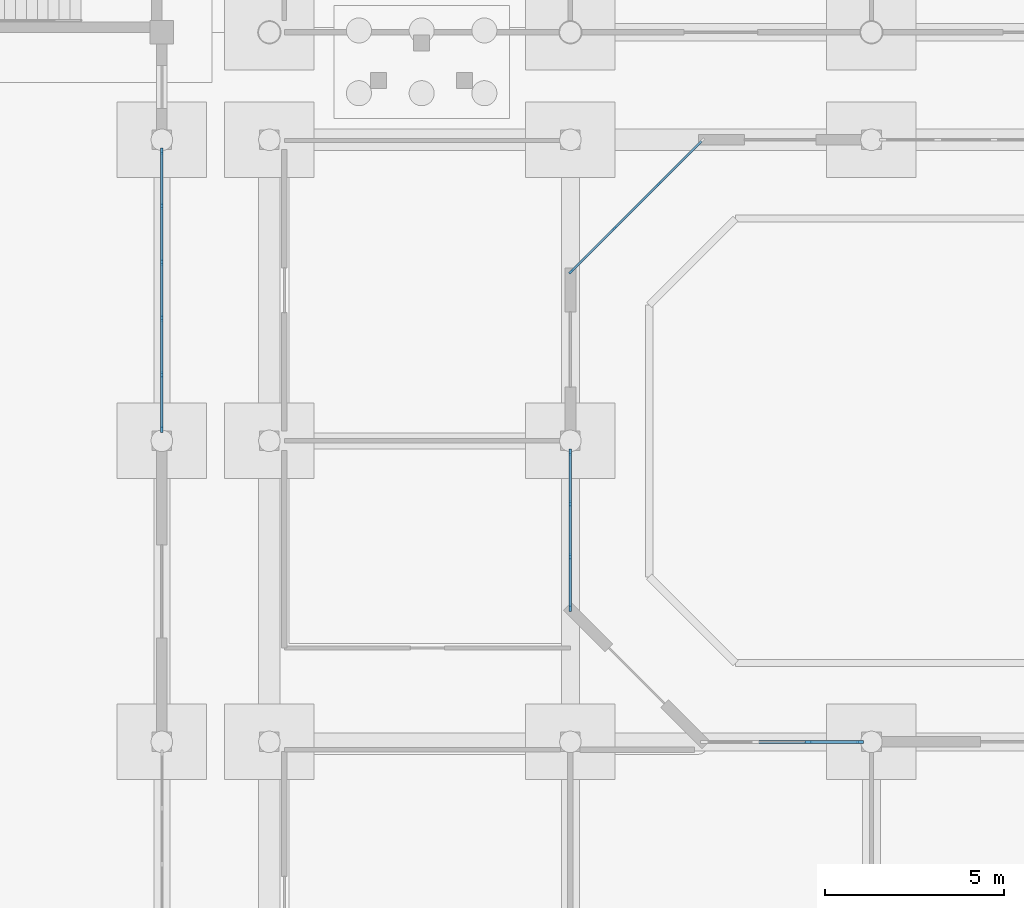
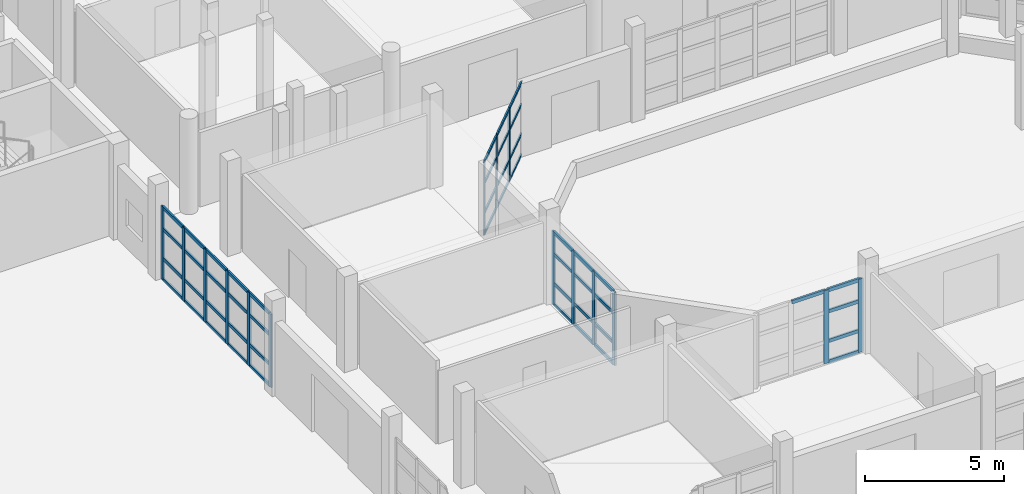
# One storey, part 21 of 88: 64 members, 4 elements without a shape of their own.
"""IFC4 building model written with IfcOpenShell, lengths in metres."""

from ifc_helpers import new_model, si_unit, direction, frame, origin, origin_2d, place, context, subcontext, project, spatial, rectangle, extrude, material, material_profile, profile_set, type_object, element, aggregate, save


model = new_model("IFC4")

# Units and contexts
model_context = context("Model", 3, precision=1e-05, world=origin(), true_north=direction((0.0, 1.0)))
body_context = subcontext(model_context, "Body", "Model", "MODEL_VIEW")
ifc_project = project(units=[si_unit("LENGTHUNIT", "METRE"), si_unit("AREAUNIT", "SQUARE_METRE"), si_unit("VOLUMEUNIT", "CUBIC_METRE"), si_unit("PLANEANGLEUNIT", "RADIAN"), si_unit("MASSUNIT", "GRAM", prefix="KILO")], contexts=[model_context])

# Site, building, storey
site_placement = place(None, origin())
site = spatial("IfcSite", under=ifc_project, at=site_placement, CompositionType="ELEMENT")
building_placement = place(site_placement, origin())
building = spatial("IfcBuilding", under=site, at=building_placement, Name="Vanh Quang Courtyard School", CompositionType="ELEMENT")
storey_placement = place(building_placement, origin())
storey = spatial("IfcBuildingStorey", under=building, at=storey_placement, Name="L00", CompositionType="ELEMENT", Elevation=0.0)

# Curtain wall, members
ifc_material_1 = material(Name="Thermally broken aluminium unitised curtain wall", Category="aluminium")
curtain_wall_type_1 = type_object("IfcCurtainWallType", Name="CW-SYS-09", PredefinedType="NOTDEFINED", material=ifc_material_1)
curtain_wall_1_placement = place(storey_placement, origin())
curtain_wall_1 = element("IfcCurtainWall", 1, at=curtain_wall_1_placement, inside=storey, type_object=curtain_wall_type_1, Name="Curtain Wall CW-09 (L00)", PredefinedType="NOTDEFINED")
ifc_material_2 = material(Name="Anodised aluminium 6063-T6", Category="aluminium")
ifc_material_profile_1 = material_profile(ifc_material_2, rectangle(XDim=0.06005859375, YDim=0.159912109375, at=origin_2d()), Name="ALU-MUL 60x160")
ifc_profile_set_1 = profile_set([ifc_material_profile_1], Name="Anodised aluminium 6063-T6")
member_type_1 = type_object("IfcMemberType", Name="CW-MUL-60x160", PredefinedType="MULLION", material=ifc_profile_set_1)
member_1_placement = place(storey_placement, frame((88.263916015625, 28.16796875, 0.0), z_axis=(0.0, 0.0, 1.0), x_axis=(0.707106781187, -0.707106781187, 0.0)))
member_1 = element("IfcMember", 2, at=member_1_placement, type_object=member_type_1, Name="CW-09 mullion 2", PredefinedType="MULLION", context=body_context, shape_type="SweptSolid", body=[
    extrude(rectangle(XDim=0.06005859375, YDim=0.159912109375, at=origin_2d()), origin(), (0.0, 0.0, 1.0), 3.219970703125),
])
member_2_placement = place(storey_placement, frame((87.031982421875, 26.93603515625, 0.0), z_axis=(0.0, 0.0, 1.0), x_axis=(0.707106781187, -0.707106781187, 0.0)))
member_2 = element("IfcMember", 3, at=member_2_placement, type_object=member_type_1, Name="CW-09 mullion 3", PredefinedType="MULLION", context=body_context, shape_type="SweptSolid", body=[
    extrude(rectangle(XDim=0.06005859375, YDim=0.159912109375, at=origin_2d()), origin(), (0.0, 0.0, 1.0), 3.219970703125),
])
member_3_placement = place(storey_placement, frame((85.8212890625, 25.72509765625, 0.0), z_axis=(0.0, 0.0, 1.0), x_axis=(0.707106781187, -0.707106781187, 0.0)))
member_3 = element("IfcMember", 4, at=member_3_placement, type_object=member_type_1, Name="CW-09 mullion 4", PredefinedType="MULLION", context=body_context, shape_type="SweptSolid", body=[
    extrude(rectangle(XDim=0.06005859375, YDim=0.159912109375, at=origin_2d()), origin(), (0.0, 0.0, 1.0), 3.219970703125),
])

curtain_wall_type_2 = type_object("IfcCurtainWallType", Name="CW-SYS-01", PredefinedType="NOTDEFINED", material=ifc_material_1)
curtain_wall_2_placement = place(storey_placement, origin())
curtain_wall_2 = element("IfcCurtainWall", 5, at=curtain_wall_2_placement, inside=storey, type_object=curtain_wall_type_2, Name="Curtain Wall CW-01 (L00)", PredefinedType="NOTDEFINED")
ifc_material_profile_2 = material_profile(ifc_material_2, rectangle(XDim=0.070068359375, YDim=0.179931640625, at=origin_2d()), Name="ALU-MUL 70x180")
ifc_profile_set_2 = profile_set([ifc_material_profile_2], Name="Anodised aluminium 6063-T6")
member_type_2 = type_object("IfcMemberType", Name="CW-MUL-70x180", PredefinedType="MULLION", material=ifc_profile_set_2)
member_4_placement = place(storey_placement, frame((74.39990234375, 21.318115234375, 0.0), z_axis=(0.0, 0.0, 1.0), x_axis=(-1.0, 0.0, 0.0)))
member_4 = element("IfcMember", 6, at=member_4_placement, type_object=member_type_2, Name="CW-01 mullion 1", PredefinedType="MULLION", context=body_context, shape_type="SweptSolid", body=[
    extrude(rectangle(XDim=0.070068359375, YDim=0.179931640625, at=origin_2d()), origin(), (0.0, 0.0, 1.0), 3.219970703125),
])
member_5_placement = place(storey_placement, frame((74.39990234375, 22.849853515625, 0.0), z_axis=(0.0, 0.0, 1.0), x_axis=(-1.0, 0.0, 0.0)))
member_5 = element("IfcMember", 7, at=member_5_placement, type_object=member_type_2, Name="CW-01 mullion 2", PredefinedType="MULLION", context=body_context, shape_type="SweptSolid", body=[
    extrude(rectangle(XDim=0.070068359375, YDim=0.179931640625, at=origin_2d()), origin(), (0.0, 0.0, 1.0), 3.219970703125),
])
member_6_placement = place(storey_placement, frame((74.39990234375, 24.41650390625, 0.0), z_axis=(0.0, 0.0, 1.0), x_axis=(-1.0, 0.0, 0.0)))
member_6 = element("IfcMember", 8, at=member_6_placement, type_object=member_type_2, Name="CW-01 mullion 3", PredefinedType="MULLION", context=body_context, shape_type="SweptSolid", body=[
    extrude(rectangle(XDim=0.070068359375, YDim=0.179931640625, at=origin_2d()), origin(), (0.0, 0.0, 1.0), 3.219970703125),
])
member_7_placement = place(storey_placement, frame((74.39990234375, 25.9833984375, 0.0), z_axis=(0.0, 0.0, 1.0), x_axis=(-1.0, 0.0, 0.0)))
member_7 = element("IfcMember", 9, at=member_7_placement, type_object=member_type_2, Name="CW-01 mullion 4", PredefinedType="MULLION", context=body_context, shape_type="SweptSolid", body=[
    extrude(rectangle(XDim=0.070068359375, YDim=0.179931640625, at=origin_2d()), origin(), (0.0, 0.0, 1.0), 3.219970703125),
])
member_8_placement = place(storey_placement, frame((74.39990234375, 27.55029296875, 0.0), z_axis=(0.0, 0.0, 1.0), x_axis=(-1.0, 0.0, 0.0)))
member_8 = element("IfcMember", 10, at=member_8_placement, type_object=member_type_2, Name="CW-01 mullion 5", PredefinedType="MULLION", context=body_context, shape_type="SweptSolid", body=[
    extrude(rectangle(XDim=0.070068359375, YDim=0.179931640625, at=origin_2d()), origin(), (0.0, 0.0, 1.0), 3.219970703125),
])
member_9_placement = place(storey_placement, frame((74.39990234375, 29.08203125, 0.0), z_axis=(0.0, 0.0, 1.0), x_axis=(-1.0, 0.0, 0.0)))
member_9 = element("IfcMember", 11, at=member_9_placement, type_object=member_type_2, Name="CW-01 mullion 6", PredefinedType="MULLION", context=body_context, shape_type="SweptSolid", body=[
    extrude(rectangle(XDim=0.070068359375, YDim=0.179931640625, at=origin_2d()), origin(), (0.0, 0.0, 1.0), 3.219970703125),
])

curtain_wall_type_3 = type_object("IfcCurtainWallType", Name="CW-SYS-10", PredefinedType="NOTDEFINED", material=ifc_material_1)
curtain_wall_3_placement = place(storey_placement, origin())
curtain_wall_3 = element("IfcCurtainWall", 12, at=curtain_wall_3_placement, inside=storey, type_object=curtain_wall_type_3, Name="Curtain Wall CW-10 (L00)", PredefinedType="NOTDEFINED")
member_10_placement = place(storey_placement, frame((85.800048828125, 20.681884765625, 0.0), z_axis=(0.0, 0.0, 1.0), x_axis=(1.0, 0.0, 0.0)))
member_10 = element("IfcMember", 13, at=member_10_placement, type_object=member_type_2, Name="CW-10 mullion 1", PredefinedType="MULLION", context=body_context, shape_type="SweptSolid", body=[
    extrude(rectangle(XDim=0.070068359375, YDim=0.179931640625, at=origin_2d()), origin(), (0.0, 0.0, 1.0), 3.219970703125),
])
member_11_placement = place(storey_placement, frame((85.800048828125, 19.243408203125, 0.0), z_axis=(0.0, 0.0, 1.0), x_axis=(1.0, 0.0, 0.0)))
member_11 = element("IfcMember", 14, at=member_11_placement, type_object=member_type_2, Name="CW-10 mullion 2", PredefinedType="MULLION", context=body_context, shape_type="SweptSolid", body=[
    extrude(rectangle(XDim=0.070068359375, YDim=0.179931640625, at=origin_2d()), origin(), (0.0, 0.0, 1.0), 3.219970703125),
])
member_12_placement = place(storey_placement, frame((85.800048828125, 17.769775390625, 0.0), z_axis=(0.0, 0.0, 1.0), x_axis=(1.0, 0.0, 0.0)))
member_12 = element("IfcMember", 15, at=member_12_placement, type_object=member_type_2, Name="CW-10 mullion 3", PredefinedType="MULLION", context=body_context, shape_type="SweptSolid", body=[
    extrude(rectangle(XDim=0.070068359375, YDim=0.179931640625, at=origin_2d()), origin(), (0.0, 0.0, 1.0), 3.219970703125),
])
member_13_placement = place(storey_placement, frame((85.800048828125, 16.3310546875, 0.0), z_axis=(0.0, 0.0, 1.0), x_axis=(1.0, 0.0, 0.0)))
member_13 = element("IfcMember", 16, at=member_13_placement, type_object=member_type_2, Name="CW-10 mullion 4", PredefinedType="MULLION", context=body_context, shape_type="SweptSolid", body=[
    extrude(rectangle(XDim=0.070068359375, YDim=0.179931640625, at=origin_2d()), origin(), (0.0, 0.0, 1.0), 3.219970703125),
])

curtain_wall_4_placement = place(storey_placement, origin())
curtain_wall_4 = element("IfcCurtainWall", 17, at=curtain_wall_4_placement, inside=storey, type_object=curtain_wall_type_3, Name="Curtain Wall CW-10 (L00)", PredefinedType="NOTDEFINED")
ifc_material_profile_3 = material_profile(ifc_material_2, rectangle(XDim=0.080078125, YDim=0.199951171875, at=origin_2d()), Name="ALU-MUL 80x200")
ifc_profile_set_3 = profile_set([ifc_material_profile_3], Name="Anodised aluminium 6063-T6")
member_type_3 = type_object("IfcMemberType", Name="CW-MUL-80x200", PredefinedType="MULLION", material=ifc_profile_set_3)
member_14_placement = place(storey_placement, frame((92.443359375, 12.60009765625, 0.0), z_axis=(0.0, 0.0, 1.0), x_axis=(0.0, 1.0, 0.0)))
member_14 = element("IfcMember", 18, at=member_14_placement, type_object=member_type_3, Name="CW-10 mullion 3", PredefinedType="MULLION", context=body_context, shape_type="SweptSolid", body=[
    extrude(rectangle(XDim=0.080078125, YDim=0.199951171875, at=origin_2d()), origin(), (0.0, 0.0, 1.0), 3.219970703125),
])
member_15_placement = place(storey_placement, frame((93.876953125, 12.60009765625, 0.0), z_axis=(0.0, 0.0, 1.0), x_axis=(0.0, 1.0, 0.0)))
member_15 = element("IfcMember", 19, at=member_15_placement, type_object=member_type_3, Name="CW-10 mullion 4", PredefinedType="MULLION", context=body_context, shape_type="SweptSolid", body=[
    extrude(rectangle(XDim=0.080078125, YDim=0.199951171875, at=origin_2d()), origin(), (0.0, 0.0, 1.0), 3.219970703125),
])

# Member
ifc_material_profile_4 = material_profile(ifc_material_2, rectangle(XDim=0.06005859375, YDim=0.1201171875, at=origin_2d()), Name="ALU-TRN 60x120")
ifc_profile_set_4 = profile_set([ifc_material_profile_4], Name="Anodised aluminium 6063-T6")
member_type_4 = type_object("IfcMemberType", Name="CW-TRN-60x120", PredefinedType="USERDEFINED", material=ifc_profile_set_4)
member_16_placement = place(storey_placement, frame((89.45361328125, 29.357666015625, 0.030029296875), z_axis=(-0.707106781187, -0.707106781187, 0.0), x_axis=(0.707106781187, -0.707106781187, 0.0)))
member_16 = element("IfcMember", 20, at=member_16_placement, type_object=member_type_4, Name="CW-09 transom 1.1", ObjectType="TRANSOM", PredefinedType="USERDEFINED", context=body_context, shape_type="SweptSolid", body=[
    extrude(rectangle(XDim=0.06005859375, YDim=0.1201171875, at=origin_2d()), origin(), (0.0, 0.0, 1.0), 1.65234375),
])

member_17_placement = place(storey_placement, frame((89.45361328125, 29.357666015625, 0.949951171875), z_axis=(-0.707106781187, -0.707106781187, 0.0), x_axis=(0.707106781187, -0.707106781187, 0.0)))
member_17 = element("IfcMember", 21, at=member_17_placement, type_object=member_type_4, Name="CW-09 transom 1.2", ObjectType="TRANSOM", PredefinedType="USERDEFINED", context=body_context, shape_type="SweptSolid", body=[
    extrude(rectangle(XDim=0.06005859375, YDim=0.1201171875, at=origin_2d()), origin(), (0.0, 0.0, 1.0), 1.65234375),
])

member_18_placement = place(storey_placement, frame((89.45361328125, 29.357666015625, 2.25), z_axis=(-0.707106781187, -0.707106781187, 0.0), x_axis=(0.707106781187, -0.707106781187, 0.0)))
member_18 = element("IfcMember", 22, at=member_18_placement, type_object=member_type_4, Name="CW-09 transom 1.3", ObjectType="TRANSOM", PredefinedType="USERDEFINED", context=body_context, shape_type="SweptSolid", body=[
    extrude(rectangle(XDim=0.06005859375, YDim=0.1201171875, at=origin_2d()), origin(), (0.0, 0.0, 1.0), 1.65234375),
])

member_19_placement = place(storey_placement, frame((89.45361328125, 29.357666015625, 3.18994140625), z_axis=(-0.707106781187, -0.707106781187, 0.0), x_axis=(0.707106781187, -0.707106781187, 0.0)))
member_19 = element("IfcMember", 23, at=member_19_placement, type_object=member_type_4, Name="CW-09 transom 1.4", ObjectType="TRANSOM", PredefinedType="USERDEFINED", context=body_context, shape_type="SweptSolid", body=[
    extrude(rectangle(XDim=0.06005859375, YDim=0.1201171875, at=origin_2d()), origin(), (0.0, 0.0, 1.0), 1.65234375),
])

member_20_placement = place(storey_placement, frame((88.24267578125, 28.146728515625, 0.030029296875), z_axis=(-0.707106781187, -0.707106781187, 0.0), x_axis=(0.707106781187, -0.707106781187, 0.0)))
member_20 = element("IfcMember", 24, at=member_20_placement, type_object=member_type_4, Name="CW-09 transom 2.1", ObjectType="TRANSOM", PredefinedType="USERDEFINED", context=body_context, shape_type="SweptSolid", body=[
    extrude(rectangle(XDim=0.06005859375, YDim=0.1201171875, at=origin_2d()), origin(), (0.0, 0.0, 1.0), 1.68212890625),
])

member_21_placement = place(storey_placement, frame((88.24267578125, 28.146728515625, 0.949951171875), z_axis=(-0.707106781187, -0.707106781187, 0.0), x_axis=(0.707106781187, -0.707106781187, 0.0)))
member_21 = element("IfcMember", 25, at=member_21_placement, type_object=member_type_4, Name="CW-09 transom 2.2", ObjectType="TRANSOM", PredefinedType="USERDEFINED", context=body_context, shape_type="SweptSolid", body=[
    extrude(rectangle(XDim=0.06005859375, YDim=0.1201171875, at=origin_2d()), origin(), (0.0, 0.0, 1.0), 1.68212890625),
])

member_22_placement = place(storey_placement, frame((88.24267578125, 28.146728515625, 2.25), z_axis=(-0.707106781187, -0.707106781187, 0.0), x_axis=(0.707106781187, -0.707106781187, 0.0)))
member_22 = element("IfcMember", 26, at=member_22_placement, type_object=member_type_4, Name="CW-09 transom 2.3", ObjectType="TRANSOM", PredefinedType="USERDEFINED", context=body_context, shape_type="SweptSolid", body=[
    extrude(rectangle(XDim=0.06005859375, YDim=0.1201171875, at=origin_2d()), origin(), (0.0, 0.0, 1.0), 1.68212890625),
])

member_23_placement = place(storey_placement, frame((88.24267578125, 28.146728515625, 3.18994140625), z_axis=(-0.707106781187, -0.707106781187, 0.0), x_axis=(0.707106781187, -0.707106781187, 0.0)))
member_23 = element("IfcMember", 27, at=member_23_placement, type_object=member_type_4, Name="CW-09 transom 2.4", ObjectType="TRANSOM", PredefinedType="USERDEFINED", context=body_context, shape_type="SweptSolid", body=[
    extrude(rectangle(XDim=0.06005859375, YDim=0.1201171875, at=origin_2d()), origin(), (0.0, 0.0, 1.0), 1.68212890625),
])

member_24_placement = place(storey_placement, frame((87.0107421875, 26.914794921875, 0.030029296875), z_axis=(-0.707032897191, -0.707180657463, 0.0), x_axis=(0.707180657463, -0.707032897191, 0.0)))
member_24 = element("IfcMember", 28, at=member_24_placement, type_object=member_type_4, Name="CW-09 transom 3.1", ObjectType="TRANSOM", PredefinedType="USERDEFINED", context=body_context, shape_type="SweptSolid", body=[
    extrude(rectangle(XDim=0.06005859375, YDim=0.1201171875, at=origin_2d()), origin(), (0.0, 0.0, 1.0), 1.65234375),
])

member_25_placement = place(storey_placement, frame((87.0107421875, 26.914794921875, 0.949951171875), z_axis=(-0.707032897191, -0.707180657463, 0.0), x_axis=(0.707180657463, -0.707032897191, 0.0)))
member_25 = element("IfcMember", 29, at=member_25_placement, type_object=member_type_4, Name="CW-09 transom 3.2", ObjectType="TRANSOM", PredefinedType="USERDEFINED", context=body_context, shape_type="SweptSolid", body=[
    extrude(rectangle(XDim=0.06005859375, YDim=0.1201171875, at=origin_2d()), origin(), (0.0, 0.0, 1.0), 1.65234375),
])

member_26_placement = place(storey_placement, frame((87.0107421875, 26.914794921875, 2.25), z_axis=(-0.707032897191, -0.707180657463, 0.0), x_axis=(0.707180657463, -0.707032897191, 0.0)))
member_26 = element("IfcMember", 30, at=member_26_placement, type_object=member_type_4, Name="CW-09 transom 3.3", ObjectType="TRANSOM", PredefinedType="USERDEFINED", context=body_context, shape_type="SweptSolid", body=[
    extrude(rectangle(XDim=0.06005859375, YDim=0.1201171875, at=origin_2d()), origin(), (0.0, 0.0, 1.0), 1.65234375),
])

member_27_placement = place(storey_placement, frame((87.0107421875, 26.914794921875, 3.18994140625), z_axis=(-0.707032897191, -0.707180657463, 0.0), x_axis=(0.707180657463, -0.707032897191, 0.0)))
member_27 = element("IfcMember", 31, at=member_27_placement, type_object=member_type_4, Name="CW-09 transom 3.4", ObjectType="TRANSOM", PredefinedType="USERDEFINED", context=body_context, shape_type="SweptSolid", body=[
    extrude(rectangle(XDim=0.06005859375, YDim=0.1201171875, at=origin_2d()), origin(), (0.0, 0.0, 1.0), 1.65234375),
])

aggregate(curtain_wall_1, [member_1, member_2, member_3, member_16, member_17, member_18, member_19, member_20, member_21, member_22, member_23, member_24, member_25, member_26, member_27])

ifc_material_profile_5 = material_profile(ifc_material_2, rectangle(XDim=0.070068359375, YDim=0.139892578125, at=origin_2d()), Name="ALU-TRN 70x140")
ifc_profile_set_5 = profile_set([ifc_material_profile_5], Name="Anodised aluminium 6063-T6")
member_type_5 = type_object("IfcMemberType", Name="CW-TRN-70x140", PredefinedType="USERDEFINED", material=ifc_profile_set_5)
member_28_placement = place(storey_placement, frame((74.39990234375, 21.35302734375, 0.034912109375), z_axis=(0.0, 1.0, 0.0), x_axis=(-1.0, 0.0, 0.0)))
member_28 = element("IfcMember", 32, at=member_28_placement, type_object=member_type_5, Name="CW-01 transom 1.1", ObjectType="TRANSOM", PredefinedType="USERDEFINED", context=body_context, shape_type="SweptSolid", body=[
    extrude(rectangle(XDim=0.070068359375, YDim=0.139892578125, at=origin_2d()), origin(), (0.0, 0.0, 1.0), 1.461669921875),
])

member_29_placement = place(storey_placement, frame((74.39990234375, 21.35302734375, 0.949951171875), z_axis=(0.0, 1.0, 0.0), x_axis=(-1.0, 0.0, 0.0)))
member_29 = element("IfcMember", 33, at=member_29_placement, type_object=member_type_5, Name="CW-01 transom 1.2", ObjectType="TRANSOM", PredefinedType="USERDEFINED", context=body_context, shape_type="SweptSolid", body=[
    extrude(rectangle(XDim=0.070068359375, YDim=0.139892578125, at=origin_2d()), origin(), (0.0, 0.0, 1.0), 1.461669921875),
])

member_30_placement = place(storey_placement, frame((74.39990234375, 21.35302734375, 2.25), z_axis=(0.0, 1.0, 0.0), x_axis=(-1.0, 0.0, 0.0)))
member_30 = element("IfcMember", 34, at=member_30_placement, type_object=member_type_5, Name="CW-01 transom 1.3", ObjectType="TRANSOM", PredefinedType="USERDEFINED", context=body_context, shape_type="SweptSolid", body=[
    extrude(rectangle(XDim=0.070068359375, YDim=0.139892578125, at=origin_2d()), origin(), (0.0, 0.0, 1.0), 1.461669921875),
])

member_31_placement = place(storey_placement, frame((74.39990234375, 21.35302734375, 3.18505859375), z_axis=(0.0, 1.0, 0.0), x_axis=(-1.0, 0.0, 0.0)))
member_31 = element("IfcMember", 35, at=member_31_placement, type_object=member_type_5, Name="CW-01 transom 1.4", ObjectType="TRANSOM", PredefinedType="USERDEFINED", context=body_context, shape_type="SweptSolid", body=[
    extrude(rectangle(XDim=0.070068359375, YDim=0.139892578125, at=origin_2d()), origin(), (0.0, 0.0, 1.0), 1.461669921875),
])

member_32_placement = place(storey_placement, frame((74.39990234375, 22.884765625, 0.034912109375), z_axis=(0.0, 1.0, 0.0), x_axis=(-1.0, 0.0, 0.0)))
member_32 = element("IfcMember", 36, at=member_32_placement, type_object=member_type_5, Name="CW-01 transom 2.1", ObjectType="TRANSOM", PredefinedType="USERDEFINED", context=body_context, shape_type="SweptSolid", body=[
    extrude(rectangle(XDim=0.070068359375, YDim=0.139892578125, at=origin_2d()), origin(), (0.0, 0.0, 1.0), 1.496826171875),
])

member_33_placement = place(storey_placement, frame((74.39990234375, 22.884765625, 0.949951171875), z_axis=(0.0, 1.0, 0.0), x_axis=(-1.0, 0.0, 0.0)))
member_33 = element("IfcMember", 37, at=member_33_placement, type_object=member_type_5, Name="CW-01 transom 2.2", ObjectType="TRANSOM", PredefinedType="USERDEFINED", context=body_context, shape_type="SweptSolid", body=[
    extrude(rectangle(XDim=0.070068359375, YDim=0.139892578125, at=origin_2d()), origin(), (0.0, 0.0, 1.0), 1.496826171875),
])

member_34_placement = place(storey_placement, frame((74.39990234375, 22.884765625, 2.25), z_axis=(0.0, 1.0, 0.0), x_axis=(-1.0, 0.0, 0.0)))
member_34 = element("IfcMember", 38, at=member_34_placement, type_object=member_type_5, Name="CW-01 transom 2.3", ObjectType="TRANSOM", PredefinedType="USERDEFINED", context=body_context, shape_type="SweptSolid", body=[
    extrude(rectangle(XDim=0.070068359375, YDim=0.139892578125, at=origin_2d()), origin(), (0.0, 0.0, 1.0), 1.496826171875),
])

member_35_placement = place(storey_placement, frame((74.39990234375, 22.884765625, 3.18505859375), z_axis=(0.0, 1.0, 0.0), x_axis=(-1.0, 0.0, 0.0)))
member_35 = element("IfcMember", 39, at=member_35_placement, type_object=member_type_5, Name="CW-01 transom 2.4", ObjectType="TRANSOM", PredefinedType="USERDEFINED", context=body_context, shape_type="SweptSolid", body=[
    extrude(rectangle(XDim=0.070068359375, YDim=0.139892578125, at=origin_2d()), origin(), (0.0, 0.0, 1.0), 1.496826171875),
])

member_36_placement = place(storey_placement, frame((74.39990234375, 24.45166015625, 0.034912109375), z_axis=(0.0, 1.0, 0.0), x_axis=(-1.0, 0.0, 0.0)))
member_36 = element("IfcMember", 40, at=member_36_placement, type_object=member_type_5, Name="CW-01 transom 3.1", ObjectType="TRANSOM", PredefinedType="USERDEFINED", context=body_context, shape_type="SweptSolid", body=[
    extrude(rectangle(XDim=0.070068359375, YDim=0.139892578125, at=origin_2d()), origin(), (0.0, 0.0, 1.0), 1.496826171875),
])

member_37_placement = place(storey_placement, frame((74.39990234375, 24.45166015625, 0.949951171875), z_axis=(0.0, 1.0, 0.0), x_axis=(-1.0, 0.0, 0.0)))
member_37 = element("IfcMember", 41, at=member_37_placement, type_object=member_type_5, Name="CW-01 transom 3.2", ObjectType="TRANSOM", PredefinedType="USERDEFINED", context=body_context, shape_type="SweptSolid", body=[
    extrude(rectangle(XDim=0.070068359375, YDim=0.139892578125, at=origin_2d()), origin(), (0.0, 0.0, 1.0), 1.496826171875),
])

member_38_placement = place(storey_placement, frame((74.39990234375, 24.45166015625, 2.25), z_axis=(0.0, 1.0, 0.0), x_axis=(-1.0, 0.0, 0.0)))
member_38 = element("IfcMember", 42, at=member_38_placement, type_object=member_type_5, Name="CW-01 transom 3.3", ObjectType="TRANSOM", PredefinedType="USERDEFINED", context=body_context, shape_type="SweptSolid", body=[
    extrude(rectangle(XDim=0.070068359375, YDim=0.139892578125, at=origin_2d()), origin(), (0.0, 0.0, 1.0), 1.496826171875),
])

member_39_placement = place(storey_placement, frame((74.39990234375, 24.45166015625, 3.18505859375), z_axis=(0.0, 1.0, 0.0), x_axis=(-1.0, 0.0, 0.0)))
member_39 = element("IfcMember", 43, at=member_39_placement, type_object=member_type_5, Name="CW-01 transom 3.4", ObjectType="TRANSOM", PredefinedType="USERDEFINED", context=body_context, shape_type="SweptSolid", body=[
    extrude(rectangle(XDim=0.070068359375, YDim=0.139892578125, at=origin_2d()), origin(), (0.0, 0.0, 1.0), 1.496826171875),
])

member_40_placement = place(storey_placement, frame((74.39990234375, 26.018310546875, 0.034912109375), z_axis=(0.0, 1.0, 0.0), x_axis=(-1.0, 0.0, 0.0)))
member_40 = element("IfcMember", 44, at=member_40_placement, type_object=member_type_5, Name="CW-01 transom 4.1", ObjectType="TRANSOM", PredefinedType="USERDEFINED", context=body_context, shape_type="SweptSolid", body=[
    extrude(rectangle(XDim=0.070068359375, YDim=0.139892578125, at=origin_2d()), origin(), (0.0, 0.0, 1.0), 1.496826171875),
])

member_41_placement = place(storey_placement, frame((74.39990234375, 26.018310546875, 0.949951171875), z_axis=(0.0, 1.0, 0.0), x_axis=(-1.0, 0.0, 0.0)))
member_41 = element("IfcMember", 45, at=member_41_placement, type_object=member_type_5, Name="CW-01 transom 4.2", ObjectType="TRANSOM", PredefinedType="USERDEFINED", context=body_context, shape_type="SweptSolid", body=[
    extrude(rectangle(XDim=0.070068359375, YDim=0.139892578125, at=origin_2d()), origin(), (0.0, 0.0, 1.0), 1.496826171875),
])

member_42_placement = place(storey_placement, frame((74.39990234375, 26.018310546875, 2.25), z_axis=(0.0, 1.0, 0.0), x_axis=(-1.0, 0.0, 0.0)))
member_42 = element("IfcMember", 46, at=member_42_placement, type_object=member_type_5, Name="CW-01 transom 4.3", ObjectType="TRANSOM", PredefinedType="USERDEFINED", context=body_context, shape_type="SweptSolid", body=[
    extrude(rectangle(XDim=0.070068359375, YDim=0.139892578125, at=origin_2d()), origin(), (0.0, 0.0, 1.0), 1.496826171875),
])

member_43_placement = place(storey_placement, frame((74.39990234375, 26.018310546875, 3.18505859375), z_axis=(0.0, 1.0, 0.0), x_axis=(-1.0, 0.0, 0.0)))
member_43 = element("IfcMember", 47, at=member_43_placement, type_object=member_type_5, Name="CW-01 transom 4.4", ObjectType="TRANSOM", PredefinedType="USERDEFINED", context=body_context, shape_type="SweptSolid", body=[
    extrude(rectangle(XDim=0.070068359375, YDim=0.139892578125, at=origin_2d()), origin(), (0.0, 0.0, 1.0), 1.496826171875),
])

member_44_placement = place(storey_placement, frame((74.39990234375, 27.585205078125, 0.034912109375), z_axis=(0.0, 1.0, 0.0), x_axis=(-1.0, 0.0, 0.0)))
member_44 = element("IfcMember", 48, at=member_44_placement, type_object=member_type_5, Name="CW-01 transom 5.1", ObjectType="TRANSOM", PredefinedType="USERDEFINED", context=body_context, shape_type="SweptSolid", body=[
    extrude(rectangle(XDim=0.070068359375, YDim=0.139892578125, at=origin_2d()), origin(), (0.0, 0.0, 1.0), 1.4619140625),
])

member_45_placement = place(storey_placement, frame((74.39990234375, 27.585205078125, 0.949951171875), z_axis=(0.0, 1.0, 0.0), x_axis=(-1.0, 0.0, 0.0)))
member_45 = element("IfcMember", 49, at=member_45_placement, type_object=member_type_5, Name="CW-01 transom 5.2", ObjectType="TRANSOM", PredefinedType="USERDEFINED", context=body_context, shape_type="SweptSolid", body=[
    extrude(rectangle(XDim=0.070068359375, YDim=0.139892578125, at=origin_2d()), origin(), (0.0, 0.0, 1.0), 1.4619140625),
])

member_46_placement = place(storey_placement, frame((74.39990234375, 27.585205078125, 2.25), z_axis=(0.0, 1.0, 0.0), x_axis=(-1.0, 0.0, 0.0)))
member_46 = element("IfcMember", 50, at=member_46_placement, type_object=member_type_5, Name="CW-01 transom 5.3", ObjectType="TRANSOM", PredefinedType="USERDEFINED", context=body_context, shape_type="SweptSolid", body=[
    extrude(rectangle(XDim=0.070068359375, YDim=0.139892578125, at=origin_2d()), origin(), (0.0, 0.0, 1.0), 1.4619140625),
])

member_47_placement = place(storey_placement, frame((74.39990234375, 27.585205078125, 3.18505859375), z_axis=(0.0, 1.0, 0.0), x_axis=(-1.0, 0.0, 0.0)))
member_47 = element("IfcMember", 51, at=member_47_placement, type_object=member_type_5, Name="CW-01 transom 5.4", ObjectType="TRANSOM", PredefinedType="USERDEFINED", context=body_context, shape_type="SweptSolid", body=[
    extrude(rectangle(XDim=0.070068359375, YDim=0.139892578125, at=origin_2d()), origin(), (0.0, 0.0, 1.0), 1.4619140625),
])

aggregate(curtain_wall_2, [member_4, member_5, member_6, member_7, member_8, member_9, member_28, member_29, member_30, member_31, member_32, member_33, member_34, member_35, member_36, member_37, member_38, member_39, member_40, member_41, member_42, member_43, member_44, member_45, member_46, member_47])

member_48_placement = place(storey_placement, frame((85.800048828125, 20.64697265625, 0.034912109375), z_axis=(0.0, -1.0, 0.0), x_axis=(1.0, 0.0, 0.0)))
member_48 = element("IfcMember", 52, at=member_48_placement, type_object=member_type_5, Name="CW-10 transom 1.1", ObjectType="TRANSOM", PredefinedType="USERDEFINED", context=body_context, shape_type="SweptSolid", body=[
    extrude(rectangle(XDim=0.070068359375, YDim=0.139892578125, at=origin_2d()), origin(), (0.0, 0.0, 1.0), 1.36865234375),
])

member_49_placement = place(storey_placement, frame((85.800048828125, 20.64697265625, 0.949951171875), z_axis=(0.0, -1.0, 0.0), x_axis=(1.0, 0.0, 0.0)))
member_49 = element("IfcMember", 53, at=member_49_placement, type_object=member_type_5, Name="CW-10 transom 1.2", ObjectType="TRANSOM", PredefinedType="USERDEFINED", context=body_context, shape_type="SweptSolid", body=[
    extrude(rectangle(XDim=0.070068359375, YDim=0.139892578125, at=origin_2d()), origin(), (0.0, 0.0, 1.0), 1.36865234375),
])

member_50_placement = place(storey_placement, frame((85.800048828125, 20.64697265625, 2.25), z_axis=(0.0, -1.0, 0.0), x_axis=(1.0, 0.0, 0.0)))
member_50 = element("IfcMember", 54, at=member_50_placement, type_object=member_type_5, Name="CW-10 transom 1.3", ObjectType="TRANSOM", PredefinedType="USERDEFINED", context=body_context, shape_type="SweptSolid", body=[
    extrude(rectangle(XDim=0.070068359375, YDim=0.139892578125, at=origin_2d()), origin(), (0.0, 0.0, 1.0), 1.36865234375),
])

member_51_placement = place(storey_placement, frame((85.800048828125, 20.64697265625, 3.18505859375), z_axis=(0.0, -1.0, 0.0), x_axis=(1.0, 0.0, 0.0)))
member_51 = element("IfcMember", 55, at=member_51_placement, type_object=member_type_5, Name="CW-10 transom 1.4", ObjectType="TRANSOM", PredefinedType="USERDEFINED", context=body_context, shape_type="SweptSolid", body=[
    extrude(rectangle(XDim=0.070068359375, YDim=0.139892578125, at=origin_2d()), origin(), (0.0, 0.0, 1.0), 1.36865234375),
])

member_52_placement = place(storey_placement, frame((85.800048828125, 19.208251953125, 0.034912109375), z_axis=(0.0, -1.0, 0.0), x_axis=(1.0, 0.0, 0.0)))
member_52 = element("IfcMember", 56, at=member_52_placement, type_object=member_type_5, Name="CW-10 transom 2.1", ObjectType="TRANSOM", PredefinedType="USERDEFINED", context=body_context, shape_type="SweptSolid", body=[
    extrude(rectangle(XDim=0.070068359375, YDim=0.139892578125, at=origin_2d()), origin(), (0.0, 0.0, 1.0), 1.403564453125),
])

member_53_placement = place(storey_placement, frame((85.800048828125, 19.208251953125, 0.949951171875), z_axis=(0.0, -1.0, 0.0), x_axis=(1.0, 0.0, 0.0)))
member_53 = element("IfcMember", 57, at=member_53_placement, type_object=member_type_5, Name="CW-10 transom 2.2", ObjectType="TRANSOM", PredefinedType="USERDEFINED", context=body_context, shape_type="SweptSolid", body=[
    extrude(rectangle(XDim=0.070068359375, YDim=0.139892578125, at=origin_2d()), origin(), (0.0, 0.0, 1.0), 1.403564453125),
])

member_54_placement = place(storey_placement, frame((85.800048828125, 19.208251953125, 2.25), z_axis=(0.0, -1.0, 0.0), x_axis=(1.0, 0.0, 0.0)))
member_54 = element("IfcMember", 58, at=member_54_placement, type_object=member_type_5, Name="CW-10 transom 2.3", ObjectType="TRANSOM", PredefinedType="USERDEFINED", context=body_context, shape_type="SweptSolid", body=[
    extrude(rectangle(XDim=0.070068359375, YDim=0.139892578125, at=origin_2d()), origin(), (0.0, 0.0, 1.0), 1.403564453125),
])

member_55_placement = place(storey_placement, frame((85.800048828125, 19.208251953125, 3.18505859375), z_axis=(0.0, -1.0, 0.0), x_axis=(1.0, 0.0, 0.0)))
member_55 = element("IfcMember", 59, at=member_55_placement, type_object=member_type_5, Name="CW-10 transom 2.4", ObjectType="TRANSOM", PredefinedType="USERDEFINED", context=body_context, shape_type="SweptSolid", body=[
    extrude(rectangle(XDim=0.070068359375, YDim=0.139892578125, at=origin_2d()), origin(), (0.0, 0.0, 1.0), 1.403564453125),
])

member_56_placement = place(storey_placement, frame((85.800048828125, 17.734619140625, 0.034912109375), z_axis=(0.0, -1.0, 0.0), x_axis=(1.0, 0.0, 0.0)))
member_56 = element("IfcMember", 60, at=member_56_placement, type_object=member_type_5, Name="CW-10 transom 3.1", ObjectType="TRANSOM", PredefinedType="USERDEFINED", context=body_context, shape_type="SweptSolid", body=[
    extrude(rectangle(XDim=0.070068359375, YDim=0.139892578125, at=origin_2d()), origin(), (0.0, 0.0, 1.0), 1.36865234375),
])

member_57_placement = place(storey_placement, frame((85.800048828125, 17.734619140625, 0.949951171875), z_axis=(0.0, -1.0, 0.0), x_axis=(1.0, 0.0, 0.0)))
member_57 = element("IfcMember", 61, at=member_57_placement, type_object=member_type_5, Name="CW-10 transom 3.2", ObjectType="TRANSOM", PredefinedType="USERDEFINED", context=body_context, shape_type="SweptSolid", body=[
    extrude(rectangle(XDim=0.070068359375, YDim=0.139892578125, at=origin_2d()), origin(), (0.0, 0.0, 1.0), 1.36865234375),
])

member_58_placement = place(storey_placement, frame((85.800048828125, 17.734619140625, 2.25), z_axis=(0.0, -1.0, 0.0), x_axis=(1.0, 0.0, 0.0)))
member_58 = element("IfcMember", 62, at=member_58_placement, type_object=member_type_5, Name="CW-10 transom 3.3", ObjectType="TRANSOM", PredefinedType="USERDEFINED", context=body_context, shape_type="SweptSolid", body=[
    extrude(rectangle(XDim=0.070068359375, YDim=0.139892578125, at=origin_2d()), origin(), (0.0, 0.0, 1.0), 1.36865234375),
])

member_59_placement = place(storey_placement, frame((85.800048828125, 17.734619140625, 3.18505859375), z_axis=(0.0, -1.0, 0.0), x_axis=(1.0, 0.0, 0.0)))
member_59 = element("IfcMember", 63, at=member_59_placement, type_object=member_type_5, Name="CW-10 transom 3.4", ObjectType="TRANSOM", PredefinedType="USERDEFINED", context=body_context, shape_type="SweptSolid", body=[
    extrude(rectangle(XDim=0.070068359375, YDim=0.139892578125, at=origin_2d()), origin(), (0.0, 0.0, 1.0), 1.36865234375),
])

aggregate(curtain_wall_3, [member_10, member_11, member_12, member_13, member_48, member_49, member_50, member_51, member_52, member_53, member_54, member_55, member_56, member_57, member_58, member_59])

ifc_material_profile_6 = material_profile(ifc_material_2, rectangle(XDim=0.080078125, YDim=0.14990234375, at=origin_2d()), Name="ALU-TRN 80x150")
ifc_profile_set_6 = profile_set([ifc_material_profile_6], Name="Anodised aluminium 6063-T6")
member_type_6 = type_object("IfcMemberType", Name="CW-TRN-80x150", PredefinedType="USERDEFINED", material=ifc_profile_set_6)
member_60_placement = place(storey_placement, frame((91.009765625, 12.60009765625, 3.179931640625), z_axis=(1.0, 0.0, 0.0), x_axis=(0.0, 1.0, 0.0)))
member_60 = element("IfcMember", 64, at=member_60_placement, type_object=member_type_6, Name="CW-10 transom 2.4", ObjectType="TRANSOM", PredefinedType="USERDEFINED", context=body_context, shape_type="SweptSolid", body=[
    extrude(rectangle(XDim=0.080078125, YDim=0.14990234375, at=origin_2d()), origin(), (0.0, 0.0, 1.0), 1.3935546875),
])

member_61_placement = place(storey_placement, frame((92.4833984375, 12.60009765625, 0.0400390625), z_axis=(1.0, 0.0, 0.0), x_axis=(0.0, 1.0, 0.0)))
member_61 = element("IfcMember", 65, at=member_61_placement, type_object=member_type_6, Name="CW-10 transom 3.1", ObjectType="TRANSOM", PredefinedType="USERDEFINED", context=body_context, shape_type="SweptSolid", body=[
    extrude(rectangle(XDim=0.080078125, YDim=0.14990234375, at=origin_2d()), origin(), (0.0, 0.0, 1.0), 1.353515625),
])

member_62_placement = place(storey_placement, frame((92.4833984375, 12.60009765625, 0.949951171875), z_axis=(1.0, 0.0, 0.0), x_axis=(0.0, 1.0, 0.0)))
member_62 = element("IfcMember", 66, at=member_62_placement, type_object=member_type_6, Name="CW-10 transom 3.2", ObjectType="TRANSOM", PredefinedType="USERDEFINED", context=body_context, shape_type="SweptSolid", body=[
    extrude(rectangle(XDim=0.080078125, YDim=0.14990234375, at=origin_2d()), origin(), (0.0, 0.0, 1.0), 1.353515625),
])

member_63_placement = place(storey_placement, frame((92.4833984375, 12.60009765625, 2.25), z_axis=(1.0, 0.0, 0.0), x_axis=(0.0, 1.0, 0.0)))
member_63 = element("IfcMember", 67, at=member_63_placement, type_object=member_type_6, Name="CW-10 transom 3.3", ObjectType="TRANSOM", PredefinedType="USERDEFINED", context=body_context, shape_type="SweptSolid", body=[
    extrude(rectangle(XDim=0.080078125, YDim=0.14990234375, at=origin_2d()), origin(), (0.0, 0.0, 1.0), 1.353515625),
])

member_64_placement = place(storey_placement, frame((92.4833984375, 12.60009765625, 3.179931640625), z_axis=(1.0, 0.0, 0.0), x_axis=(0.0, 1.0, 0.0)))
member_64 = element("IfcMember", 68, at=member_64_placement, type_object=member_type_6, Name="CW-10 transom 3.4", ObjectType="TRANSOM", PredefinedType="USERDEFINED", context=body_context, shape_type="SweptSolid", body=[
    extrude(rectangle(XDim=0.080078125, YDim=0.14990234375, at=origin_2d()), origin(), (0.0, 0.0, 1.0), 1.353515625),
])

aggregate(curtain_wall_4, [member_14, member_15, member_60, member_61, member_62, member_63, member_64])

save(model, "model.ifc")
